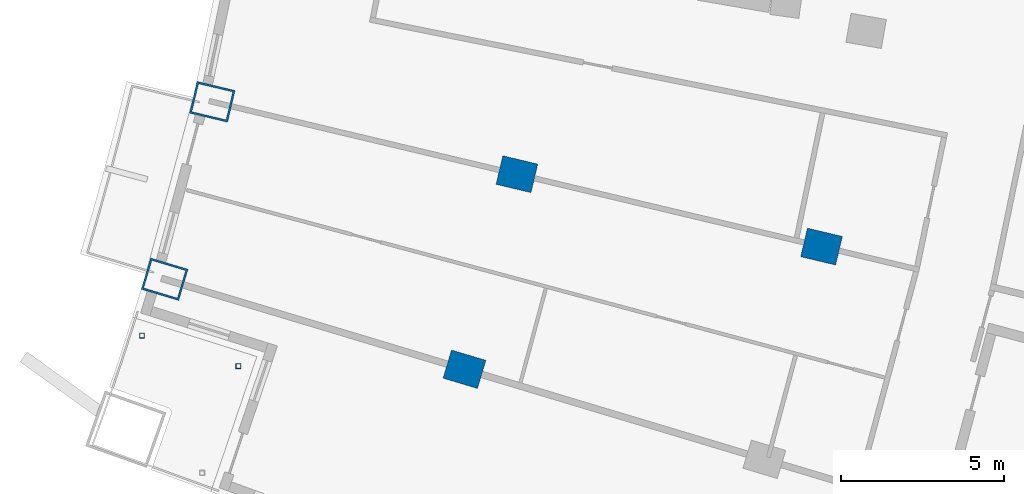
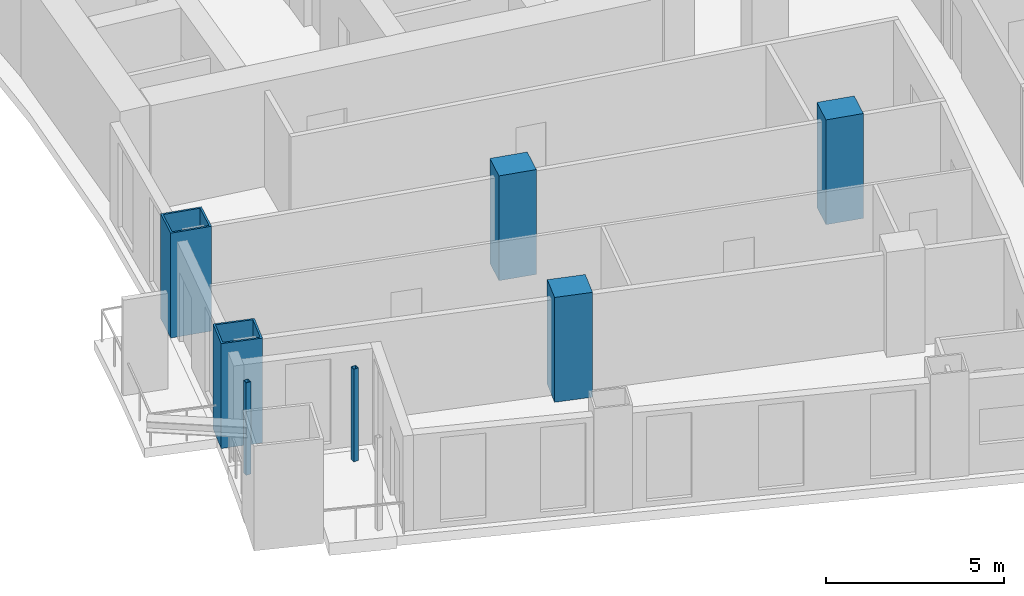
# One storey, part 3 of 25: 7 columns.
"""IFC4 building model written with IfcOpenShell, lengths in metres."""

from ifc_helpers import new_model, si_unit, direction, frame, origin, origin_2d, place, context, subcontext, project, spatial, rectangle, hollow_rectangle, extrude, material, material_profile, profile_set, type_object, element, save


model = new_model("IFC4")

# Units and contexts
model_context = context("Model", 3, precision=1e-05, world=origin(), true_north=direction((0.0, 1.0)))
body_context = subcontext(model_context, "Body", "Model", "MODEL_VIEW")
ifc_project = project(units=[si_unit("LENGTHUNIT", "METRE"), si_unit("AREAUNIT", "SQUARE_METRE"), si_unit("VOLUMEUNIT", "CUBIC_METRE"), si_unit("PLANEANGLEUNIT", "RADIAN"), si_unit("MASSUNIT", "GRAM", prefix="KILO")], contexts=[model_context])

# Site, building, storey
site_placement = place(None, origin())
site = spatial("IfcSite", under=ifc_project, at=site_placement, CompositionType="ELEMENT")
building_placement = place(site_placement, origin())
building = spatial("IfcBuilding", under=site, at=building_placement, Name="Alderwake Tower", CompositionType="ELEMENT")
storey_placement = place(building_placement, frame((0.0, 0.0, 46.39990234375)))
storey = spatial("IfcBuildingStorey", under=building, at=storey_placement, Name="L10", CompositionType="ELEMENT", Elevation=46.39990234375)

# Columns
ifc_material_1 = material(Name="Concrete C70/85", Category="concrete")
ifc_material_profile_1 = material_profile(ifc_material_1, rectangle(XDim=0.89990234375, YDim=1.10009765625, at=origin_2d()), Name="RC 1100X900")
ifc_profile_set_1 = profile_set([ifc_material_profile_1], Name="Concrete C70/85")
column_type_1 = type_object("IfcColumnType", Name="Interior column Z1", PredefinedType="COLUMN", material=ifc_profile_set_1)
for number, where, z_axis, x_axis, name in (
    (1, (21.714599609375, 30.46240234375, 0.0), (0.0, 0.0, 1.0), (0.287549418125, 0.957765802342, 0.0), "Column R02-C1"),
    (2, (23.322021484375, 36.444091796875, 0.0), (0.0, 0.0, 1.0), (0.231221547198, 0.972901123502, 0.0), "Column R03-C1"),
    (3, (32.661865234375, 34.224609375, 0.0), (0.0, 0.0, 1.0), (0.231221547198, 0.972901123502, 0.0), "Column R03-C2"),
):
    element("IfcColumn", number, at=place(storey_placement, frame(where, z_axis=z_axis, x_axis=x_axis)), inside=storey, type_object=column_type_1, Name=name, PredefinedType="COLUMN", context=body_context, shape_type="SweptSolid", body=[
        extrude(rectangle(XDim=0.89990234375, YDim=1.10009765625, at=origin_2d()), origin(), (0.0, 0.0, 1.0), 3.60009765625),
    ])
ifc_material_2 = material(Name="Steel ASTM A500 Grade C", Category="steel")
ifc_material_profile_2 = material_profile(ifc_material_2, hollow_rectangle(XDim=0.15234375, YDim=0.15234375, WallThickness=0.0087890625, at=origin_2d()), Name="HSS6X6X3/8")
ifc_profile_set_2 = profile_set([ifc_material_profile_2], Name="Steel ASTM A500 Grade C")
column_type_2 = type_object("IfcColumnType", Name="Light post HSS6X6X3/8", PredefinedType="COLUMN", material=ifc_profile_set_2)
for number, where, z_axis, x_axis, name in (
    (4, (11.82568359375, 31.492919921875, 0.0), (0.0, 0.0, 1.0), (1.0, 0.0, 0.0), "Terrace post RS1"),
    (5, (14.781494140625, 30.558349609375, 0.0), (0.0, 0.0, 1.0), (1.0, 0.0, 0.0), "Terrace post RS3"),
):
    element("IfcColumn", number, at=place(storey_placement, frame(where, z_axis=z_axis, x_axis=x_axis)), inside=storey, type_object=column_type_2, Name=name, PredefinedType="COLUMN", context=body_context, shape_type="SweptSolid", body=[
        extrude(hollow_rectangle(XDim=0.15234375, YDim=0.15234375, WallThickness=0.0087890625, at=origin_2d()), origin(), (0.0, 0.0, 1.0), 3.18017578125),
    ])
ifc_material_3 = material(Name="Steel ASTM A572 Grade 50 concrete filled C70/85", Category="concrete")
ifc_material_profile_3 = material_profile(ifc_material_3, hollow_rectangle(XDim=1.0, YDim=1.199951171875, WallThickness=0.06005859375, at=origin_2d()), Name="BOX 1200X1000X60")
ifc_profile_set_3 = profile_set([ifc_material_profile_3], Name="Steel ASTM A572 Grade 50 concrete filled C70/85")
column_type_3 = type_object("IfcColumnType", Name="Perimeter column Z1", PredefinedType="COLUMN", material=ifc_profile_set_3)
for number, where, z_axis, x_axis, name in (
    (6, (12.520263671875, 33.222900390625, 0.0), (0.0, 0.0, 1.0), (0.287549418125, 0.957765802342, 0.0), "Column R02-C0"),
    (7, (13.982177734375, 38.6640625, 0.0), (0.0, 0.0, 1.0), (0.231221547198, 0.972901123502, 0.0), "Column R03-C0"),
):
    element("IfcColumn", number, at=place(storey_placement, frame(where, z_axis=z_axis, x_axis=x_axis)), inside=storey, type_object=column_type_3, Name=name, PredefinedType="COLUMN", context=body_context, shape_type="SweptSolid", body=[
        extrude(hollow_rectangle(XDim=1.0, YDim=1.199951171875, WallThickness=0.06005859375, at=origin_2d()), origin(), (0.0, 0.0, 1.0), 3.60009765625),
    ])

save(model, "model.ifc")
